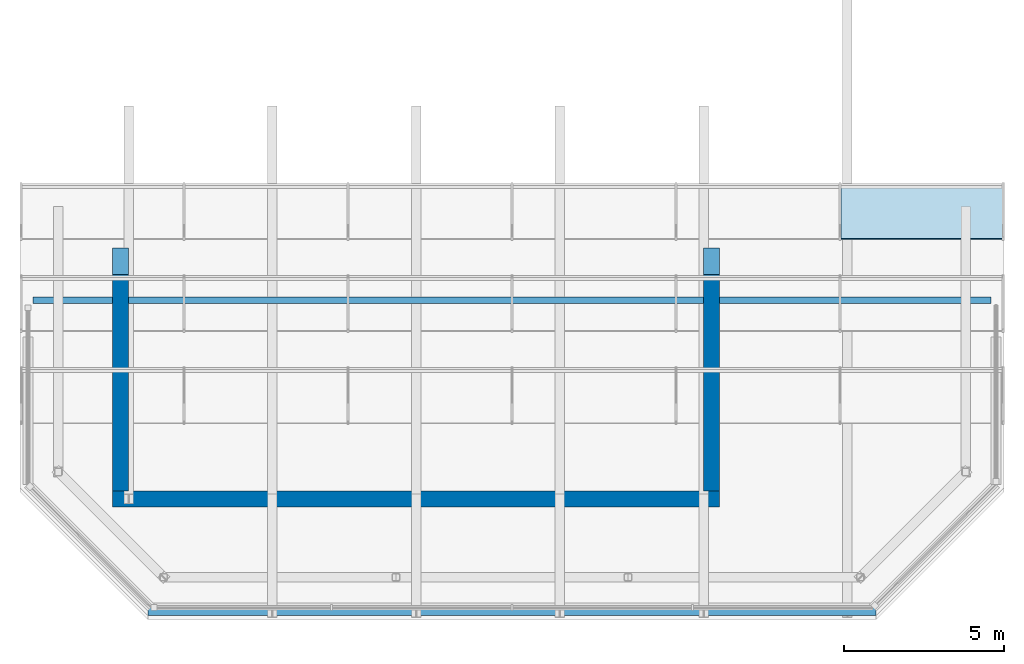
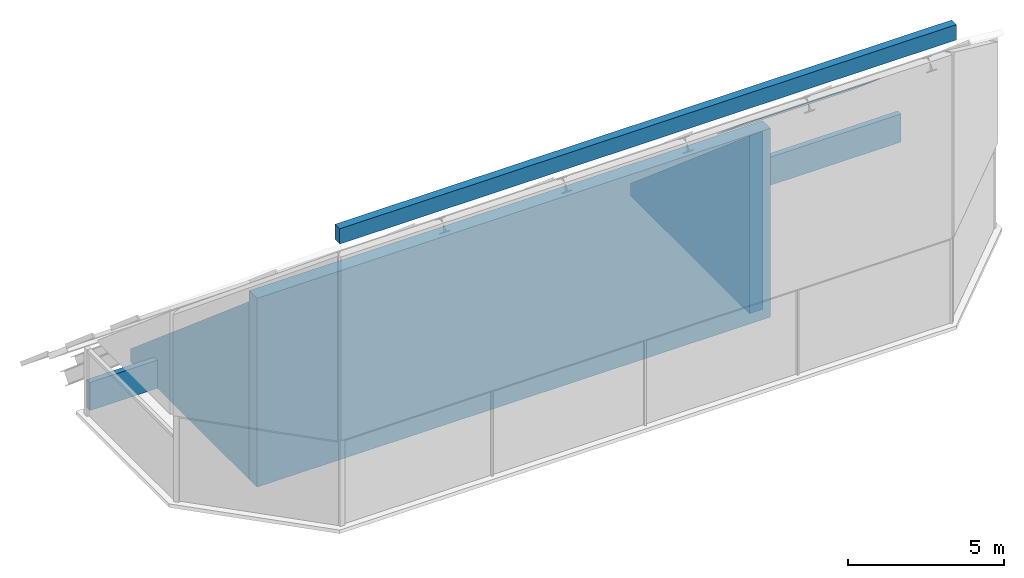
# One storey, part 3 of 3: 5 walls, 1 plate, 1 element without a shape of its own.
"""IFC4 building model written with IfcOpenShell, lengths in metres."""

from ifc_helpers import new_model, si_unit, direction, frame, frame_2d, origin, place, context, subcontext, project, spatial, polyline, rectangle, outline, extrude, material, layer, layer_set, type_object, element, aggregate, save


model = new_model("IFC4")

# Units and contexts
model_context = context("Model", 3, precision=1e-05, world=origin(), true_north=direction((0.0, 1.0)))
body_context = subcontext(model_context, "Body", "Model", "MODEL_VIEW")
ifc_project = project(units=[si_unit("LENGTHUNIT", "METRE"), si_unit("AREAUNIT", "SQUARE_METRE"), si_unit("VOLUMEUNIT", "CUBIC_METRE"), si_unit("PLANEANGLEUNIT", "RADIAN"), si_unit("MASSUNIT", "GRAM", prefix="KILO")], contexts=[model_context])

# Site, building, storey
site_placement = place(None, origin())
site = spatial("IfcSite", under=ifc_project, at=site_placement, CompositionType="ELEMENT")
building_placement = place(site_placement, origin())
building = spatial("IfcBuilding", under=site, at=building_placement, Name="Tskaro Facet Tower", CompositionType="ELEMENT")
storey_placement = place(building_placement, frame((0.0, 0.0, 315.300048828125)))
storey = spatial("IfcBuildingStorey", under=building, at=storey_placement, Name="L85", CompositionType="ELEMENT", Elevation=315.300048828125)

# Curtain wall, plate
ifc_material_1 = material(Name="Bronze anodised aluminium 6063-T6", Category="aluminium")
curtain_wall_type = type_object("IfcCurtainWallType", Name="Bronze crown roof glazing (FW6)", PredefinedType="NOTDEFINED", material=ifc_material_1)
curtain_wall_placement = place(storey_placement, origin())
curtain_wall = element("IfcCurtainWall", 1, at=curtain_wall_placement, inside=storey, type_object=curtain_wall_type, Name="FW6 roof glazing strip 3", PredefinedType="NOTDEFINED")
ifc_material_2 = material(Name="Bronze reflective glass", Category="glass")
ifc_layer_1 = layer(ifc_material_2, 0.0400390625, Name="Bronze reflective glass")
ifc_layer_set_1 = layer_set([ifc_layer_1], Name="Bronze reflective glass")
plate_type = type_object("IfcPlateType", Name="FW6 bronze-tinted unit glazing 40", PredefinedType="CURTAIN_PANEL", material=ifc_layer_set_1)
plate_placement = place(storey_placement, frame((13.296630859375, -3.60009765625, 1.14990234375), z_axis=(0.0, 0.647604779897, 0.761976409775), x_axis=(1.0, 0.0, 0.0)))
plate = element("IfcPlate", 2, at=plate_placement, type_object=plate_type, Name="FW6 roof glazing 3.6", PredefinedType="CURTAIN_PANEL", context=body_context, shape_type="SweptSolid", body=[
    extrude(outline(polyline([(0.0, 0.0), (5.073486328125, 0.0), (5.073486328125, 2.1111448563073303), (0.0, 2.1111448563073303), (0.0, 0.0)])), origin(), (0.0, 0.0, -1.0), 0.0400390625),
])
aggregate(curtain_wall, [plate])

# Walls
ifc_material_3 = material(Name="Concrete C40/50", Category="concrete")
ifc_layer_2 = layer(ifc_material_3, 0.5, Name="Concrete C40/50")
ifc_layer_set_2 = layer_set([ifc_layer_2], Name="Concrete C40/50")
wall_type_1 = type_object("IfcWallType", Name="Core wall 500", PredefinedType="SHEAR", material=ifc_layer_set_2)
wall_1_placement = place(storey_placement, frame((-9.5, -11.75, 0.0), z_axis=(0.0, 0.0, 1.0), x_axis=(1.0, 0.0, 0.0)))
element("IfcWall", 3, at=wall_1_placement, inside=storey, type_object=wall_type_1, Name="Core wall CW-Z3S", PredefinedType="SHEAR", context=body_context, shape_type="SweptSolid", body=[
    extrude(outline(polyline([(0.0, 0.0), (19.0, 0.0), (19.0, 7.38427734375), (0.0, 7.38427734375), (0.0, 0.0)])), frame((0.0, 0.25, 0.0), z_axis=(0.0, -1.0, 0.0), x_axis=(1.0, 0.0, 0.0)), (0.0, 0.0, 1.0), 0.5),
])
for number, where, z_axis, x_axis, name in (
    (4, (-9.25, -11.5, 0.0), (0.0, 0.0, 1.0), (0.0, 1.0, 0.0), "Core wall CW-Z3W"),
    (5, (9.25, -11.5, 0.0), (0.0, 0.0, 1.0), (0.0, 1.0, 0.0), "Core wall CW-Z3E"),
):
    element("IfcWall", number, at=place(storey_placement, frame(where, z_axis=z_axis, x_axis=x_axis)), inside=storey, type_object=wall_type_1, Name=name, PredefinedType="SHEAR", context=body_context, shape_type="SweptSolid", body=[
        extrude(outline(polyline([(0.0, 0.0), (7.59912109375, 0.0), (7.599365234375, 0.5), (0.0, 6.95947265625), (0.0, 0.0)])), frame((0.0, 0.25, 0.0), z_axis=(0.0, -1.0, 0.0), x_axis=(1.0, 0.0, 0.0)), (0.0, 0.0, 1.0), 0.5),
    ])
ifc_material_4 = material(Name="Precast concrete C40/50", Category="concrete")
ifc_layer_3 = layer(ifc_material_4, 0.199951171875, Name="Precast concrete C40/50")
ifc_layer_set_3 = layer_set([ifc_layer_3], Name="Precast concrete C40/50")
wall_type_2 = type_object("IfcWallType", Name="Crown deck parapet", PredefinedType="PARAPET", material=ifc_layer_set_3)
wall_2_placement = place(storey_placement, frame((18.0, -5.52392578125, 0.0), z_axis=(0.0, 0.0, 1.0), x_axis=(-1.0, 0.0, 0.0)))
element("IfcWall", 6, at=wall_2_placement, inside=storey, type_object=wall_type_2, Name="Crown deck parapet L85", PredefinedType="PARAPET", context=body_context, shape_type="SweptSolid", body=[
    extrude(rectangle(XDim=30.0, YDim=0.199951171875, at=frame_2d((15.0, 0.0))), origin(), (0.0, 0.0, 1.0), 1.099853515625),
])
ifc_material_5 = material(Name="Bronze anodised aluminium cladding 5005-H34", Category="aluminium")
ifc_layer_4 = layer(ifc_material_5, 0.300048828125, Name="Bronze anodised aluminium cladding 5005-H34")
ifc_layer_set_4 = layer_set([ifc_layer_4], Name="Bronze anodised aluminium cladding 5005-H34")
wall_type_3 = type_object("IfcWallType", Name="Crown parapet", PredefinedType="PARAPET", material=ifc_layer_set_4)
wall_3_placement = place(storey_placement, frame((-8.39990234375, -15.25, 11.179931640625), z_axis=(0.0, 0.0, 1.0), x_axis=(1.0, 0.0, 0.0)))
element("IfcWall", 7, at=wall_3_placement, inside=storey, type_object=wall_type_3, Name="Crown parapet south", PredefinedType="PARAPET", context=body_context, shape_type="SweptSolid", body=[
    extrude(rectangle(XDim=22.7998046875, YDim=0.300048828125, at=frame_2d((11.39990234375, 0.0))), origin(), (0.0, 0.0, 1.0), 0.60009765625),
])

save(model, "model.ifc")
